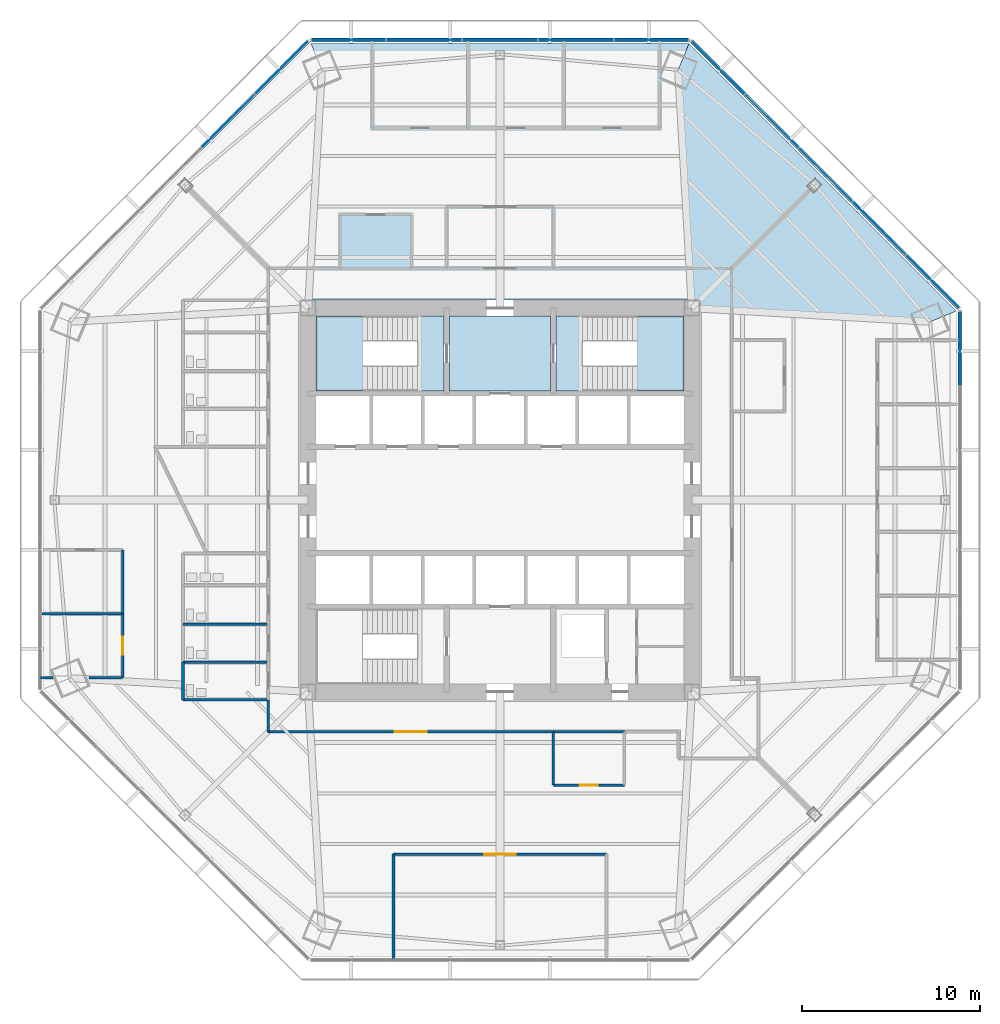
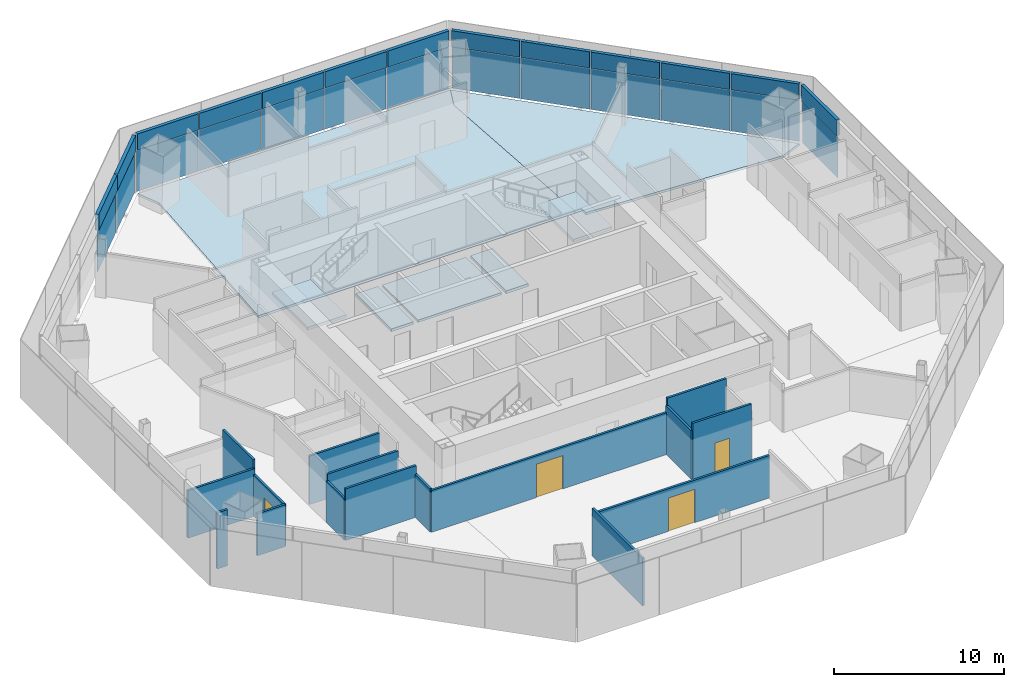
# One storey, part 8 of 15: 26 plates, 16 walls, 7 slabs, 4 doors, 4 openings, 6 elements without a shape of their own.
"""IFC4 building model written with IfcOpenShell, lengths in metres."""

from ifc_helpers import new_model, si_unit, direction, frame, frame_2d, origin, origin_2d, place, context, subcontext, project, spatial, polyline, rectangle, outline, extrude, source, transform, mapped, material, layer, layer_set, type_object, type_shapes, element, fill, aggregate, save


model = new_model("IFC4")

# Units and contexts
model_context = context("Model", 3, precision=1e-05, world=origin(), true_north=direction((0.0, 1.0)))
body_context = subcontext(model_context, "Body", "Model", "MODEL_VIEW")
ifc_project = project(units=[si_unit("LENGTHUNIT", "METRE"), si_unit("AREAUNIT", "SQUARE_METRE"), si_unit("VOLUMEUNIT", "CUBIC_METRE"), si_unit("PLANEANGLEUNIT", "RADIAN"), si_unit("MASSUNIT", "GRAM", prefix="KILO")], contexts=[model_context])

# Site, building, storey
site_placement = place(None, origin())
site = spatial("IfcSite", under=ifc_project, at=site_placement, CompositionType="ELEMENT")
building_placement = place(site_placement, origin())
building = spatial("IfcBuilding", under=site, at=building_placement, Name="Mashrafa Tower", CompositionType="ELEMENT")
storey_placement = place(building_placement, frame((0.0, 0.0, 75.0)))
storey = spatial("IfcBuildingStorey", under=building, at=storey_placement, Name="L16", CompositionType="ELEMENT", Elevation=75.0)

# Slabs
ifc_material_1 = material(Name="Concrete C35/45", Category="concrete")
ifc_layer_1 = layer(ifc_material_1, 0.1650390625)
ifc_layer_set_1 = layer_set([ifc_layer_1], Name="Floor slab 165")
slab_type_1 = type_object("IfcSlabType", Name="Floor slab 165", PredefinedType="FLOOR", material=ifc_layer_set_1)
slab_1_placement = place(storey_placement, frame((0.0, 0.0, -0.1650390625)))
element("IfcSlab", 1, at=slab_1_placement, inside=storey, type_object=slab_type_1, Name="Floor slab L16 north-east bay", PredefinedType="FLOOR", context=body_context, shape_type="SweptSolid", body=[
    extrude(outline(polyline([(25.693115234375, 10.642578125), (24.219482421875, 10.031982421875), (11.25, 10.774169921875), (11.25, 11.25), (10.774169921875, 11.25), (10.031982421875, 24.219482421875), (10.642578125, 25.693115234375), (25.693115234375, 10.642578125)])), origin(), (0.0, 0.0, 1.0), 0.1650390625),
])
slab_2_placement = place(storey_placement, frame((0.0, 0.0, -0.1650390625)))
element("IfcSlab", 2, at=slab_2_placement, inside=storey, type_object=slab_type_1, Name="Floor slab L16 north bay", PredefinedType="FLOOR", context=body_context, shape_type="SweptSolid", body=[
    extrude(outline(polyline([(-10.642333984375, 25.693115234375), (10.642333984375, 25.693115234375), (10.642578125, 25.693115234375), (10.031982421875, 24.219482421875), (10.774169921875, 11.25), (-10.774169921875, 11.25), (-10.031982421875, 24.219482421875), (-10.642578125, 25.693115234375), (-10.642333984375, 25.693115234375)])), origin(), (0.0, 0.0, 1.0), 0.1650390625),
])
slab_3_placement = place(storey_placement, frame((0.0, 0.0, -0.1650390625)))
element("IfcSlab", 3, at=slab_3_placement, inside=storey, type_object=slab_type_1, Name="Core floor fire-fighting lobby north L16", PredefinedType="FLOOR", context=body_context, shape_type="SweptSolid", body=[
    extrude(outline(polyline([(-2.85009765625, 10.35009765625), (2.85009765625, 10.35009765625), (2.85009765625, 6.14990234375), (-2.85009765625, 6.14990234375), (-2.85009765625, 10.35009765625)])), origin(), (0.0, 0.0, 1.0), 0.1650390625),
])

# Stair, slabs
ifc_material_2 = material(Name="Exit stair 1400")
stair_type = type_object("IfcStairType", Name="Exit stair 1400", PredefinedType="HALF_TURN_STAIR", material=ifc_material_2)
stair_1_placement = place(storey_placement, origin())
stair_1 = element("IfcStair", 4, at=stair_1_placement, inside=storey, type_object=stair_type, Name="Stair S1 L16", PredefinedType="HALF_TURN_STAIR")
ifc_material_3 = material(Name="Concrete C32/40", Category="concrete")
ifc_layer_2 = layer(ifc_material_3, 0.199951171875)
ifc_layer_set_2 = layer_set([ifc_layer_2], Name="Stair landing 200")
slab_type_2 = type_object("IfcSlabType", Name="Stair landing 200", PredefinedType="LANDING", material=ifc_layer_set_2)
slab_4_placement = place(storey_placement, frame((0.0, 0.0, -0.199951171875)))
slab_4 = element("IfcSlab", 5, at=slab_4_placement, type_object=slab_type_2, Name="S1 landing 1", PredefinedType="LANDING", context=body_context, shape_type="SweptSolid", body=[
    extrude(outline(polyline([(-4.659912109375, 6.14990234375), (-3.14990234375, 6.14990234375), (-3.14990234375, 10.35009765625), (-4.659912109375, 10.35009765625), (-4.659912109375, 6.14990234375)])), origin(), (0.0, 0.0, 1.0), 0.199951171875),
])
slab_5_placement = place(storey_placement, frame((0.0, 0.0, 1.89990234375)))
slab_5 = element("IfcSlab", 6, at=slab_5_placement, type_object=slab_type_2, Name="S1 landing 2", PredefinedType="LANDING", context=body_context, shape_type="SweptSolid", body=[
    extrude(outline(polyline([(-10.35009765625, 6.14990234375), (-7.719970703125, 6.14990234375), (-7.719970703125, 10.35009765625), (-10.35009765625, 10.35009765625), (-10.35009765625, 6.14990234375)])), origin(), (0.0, 0.0, 1.0), 0.2001953125),
])
aggregate(stair_1, [slab_4, slab_5])

stair_2_placement = place(storey_placement, origin())
stair_2 = element("IfcStair", 7, at=stair_2_placement, inside=storey, type_object=stair_type, Name="Stair S2 L16", PredefinedType="HALF_TURN_STAIR")
slab_6_placement = place(storey_placement, frame((0.0, 0.0, -0.199951171875)))
slab_6 = element("IfcSlab", 8, at=slab_6_placement, type_object=slab_type_2, Name="S2 landing 1", PredefinedType="LANDING", context=body_context, shape_type="SweptSolid", body=[
    extrude(outline(polyline([(3.14990234375, 6.14990234375), (4.659912109375, 6.14990234375), (4.659912109375, 10.35009765625), (3.14990234375, 10.35009765625), (3.14990234375, 6.14990234375)])), origin(), (0.0, 0.0, 1.0), 0.199951171875),
])
slab_7_placement = place(storey_placement, frame((0.0, 0.0, 1.89990234375)))
slab_7 = element("IfcSlab", 9, at=slab_7_placement, type_object=slab_type_2, Name="S2 landing 2", PredefinedType="LANDING", context=body_context, shape_type="SweptSolid", body=[
    extrude(outline(polyline([(7.719970703125, 6.14990234375), (10.35009765625, 6.14990234375), (10.35009765625, 10.35009765625), (7.719970703125, 10.35009765625), (7.719970703125, 6.14990234375)])), origin(), (0.0, 0.0, 1.0), 0.2001953125),
])
aggregate(stair_2, [slab_6, slab_7])

# Curtain wall, plate
ifc_material_4 = material(Name="Unitised aluminium curtain wall", Category="aluminium")
curtain_wall_type = type_object("IfcCurtainWallType", Name="Office curtain wall, zone 1 CW-A 200 deep", PredefinedType="NOTDEFINED", material=ifc_material_4)
curtain_wall_1_placement = place(storey_placement, origin())
curtain_wall_1 = element("IfcCurtainWall", 10, at=curtain_wall_1_placement, inside=storey, type_object=curtain_wall_type, Name="Office curtain wall, zone 1 L16 east", PredefinedType="NOTDEFINED")
ifc_material_5 = material(Name="Insulated double glazing, low-e, neutral", Category="glass")
ifc_layer_3 = layer(ifc_material_5, 0.028076171875)
ifc_layer_set_3 = layer_set([ifc_layer_3], Name="Vision panel CW-A 28")
plate_type_1 = type_object("IfcPlateType", Name="Vision panel CW-A 28", PredefinedType="CURTAIN_PANEL", material=ifc_layer_set_3)
shared_shape_1 = source(origin(), body_context, "Body", "SweptSolid", [
    extrude(rectangle(XDim=4.172119140625, YDim=0.028076171875, at=origin_2d()), origin(), (0.0, 0.0, 1.0), 2.9599609375),
])
plate_1_placement = place(storey_placement, frame((25.89306640625, 8.522705078125, 0.0), z_axis=(0.0, 0.0, 1.0), x_axis=(0.0, 1.0, 0.0)))
plate_1 = element("IfcPlate", 11, at=plate_1_placement, type_object=plate_type_1, Name="CW-A vision panel 5", PredefinedType="CURTAIN_PANEL", context=body_context, shape_type="MappedRepresentation", body=[
    mapped(shared_shape_1, transform((0.0, 0.0, 0.0))),
])

# Curtain wall, plates
curtain_wall_2_placement = place(storey_placement, origin())
curtain_wall_2 = element("IfcCurtainWall", 12, at=curtain_wall_2_placement, inside=storey, type_object=curtain_wall_type, Name="Office curtain wall, zone 1 L16 north-east", PredefinedType="NOTDEFINED")
plate_2_placement = place(storey_placement, frame((24.335693359375, 12.28271484375, 0.0), z_axis=(0.0, 0.0, 1.0), x_axis=(-0.707106781187, 0.707106781187, 0.0)))
plate_2 = element("IfcPlate", 13, at=plate_2_placement, type_object=plate_type_1, Name="CW-A vision panel 1", PredefinedType="CURTAIN_PANEL", context=body_context, shape_type="MappedRepresentation", body=[
    mapped(shared_shape_1, transform((0.0, 0.0, 0.0))),
])
plate_3_placement = place(storey_placement, frame((12.28271484375, 24.335693359375, 0.0), z_axis=(0.0, 0.0, 1.0), x_axis=(-0.707106781187, 0.707106781187, 0.0)))
plate_3 = element("IfcPlate", 14, at=plate_3_placement, type_object=plate_type_1, Name="CW-A vision panel 5", PredefinedType="CURTAIN_PANEL", context=body_context, shape_type="MappedRepresentation", body=[
    mapped(shared_shape_1, transform((0.0, 0.0, 0.0))),
])

curtain_wall_3_placement = place(storey_placement, origin())
curtain_wall_3 = element("IfcCurtainWall", 15, at=curtain_wall_3_placement, inside=storey, type_object=curtain_wall_type, Name="Office curtain wall, zone 1 L16 north", PredefinedType="NOTDEFINED")
plate_4_placement = place(storey_placement, frame((8.522705078125, 25.89306640625, 0.0), z_axis=(0.0, 0.0, 1.0), x_axis=(-1.0, 0.0, 0.0)))
plate_4 = element("IfcPlate", 16, at=plate_4_placement, type_object=plate_type_1, Name="CW-A vision panel 1", PredefinedType="CURTAIN_PANEL", context=body_context, shape_type="MappedRepresentation", body=[
    mapped(shared_shape_1, transform((0.0, 0.0, 0.0))),
])
plate_5_placement = place(storey_placement, frame((-8.522705078125, 25.89306640625, 0.0), z_axis=(0.0, 0.0, 1.0), x_axis=(-1.0, 0.0, 0.0)))
plate_5 = element("IfcPlate", 17, at=plate_5_placement, type_object=plate_type_1, Name="CW-A vision panel 5", PredefinedType="CURTAIN_PANEL", context=body_context, shape_type="MappedRepresentation", body=[
    mapped(shared_shape_1, transform((0.0, 0.0, 0.0))),
])

# Curtain wall, plate
curtain_wall_4_placement = place(storey_placement, origin())
curtain_wall_4 = element("IfcCurtainWall", 18, at=curtain_wall_4_placement, inside=storey, type_object=curtain_wall_type, Name="Office curtain wall, zone 1 L16 north-west", PredefinedType="NOTDEFINED")
plate_6_placement = place(storey_placement, frame((-12.28271484375, 24.335693359375, 0.0), z_axis=(0.0, 0.0, 1.0), x_axis=(-0.707106781187, -0.707106781187, 0.0)))
plate_6 = element("IfcPlate", 19, at=plate_6_placement, type_object=plate_type_1, Name="CW-A vision panel 1", PredefinedType="CURTAIN_PANEL", context=body_context, shape_type="MappedRepresentation", body=[
    mapped(shared_shape_1, transform((0.0, 0.0, 0.0))),
])

# Plate
ifc_material_6 = material(Name="Insulated aluminium spandrel panel", Category="aluminium")
ifc_layer_4 = layer(ifc_material_6, 0.219970703125)
ifc_layer_set_4 = layer_set([ifc_layer_4], Name="Spandrel panel CW-A 220")
plate_type_2 = type_object("IfcPlateType", Name="Spandrel panel CW-A 220", PredefinedType="CURTAIN_PANEL", material=ifc_layer_set_4)
shared_shape_2 = source(origin(), body_context, "Body", "SweptSolid", [
    extrude(rectangle(XDim=4.172119140625, YDim=0.219970703125, at=origin_2d()), origin(), (0.0, 0.0, 1.0), 1.159912109375),
])
plate_7_placement = place(storey_placement, frame((25.89306640625, 8.522705078125, 3.0400390625), z_axis=(0.0, 0.0, 1.0), x_axis=(0.0, 1.0, 0.0)))
plate_7 = element("IfcPlate", 20, at=plate_7_placement, type_object=plate_type_2, Name="CW-A spandrel panel 5", PredefinedType="CURTAIN_PANEL", context=body_context, shape_type="MappedRepresentation", body=[
    mapped(shared_shape_2, transform((0.0, 0.0, 0.0))),
])

aggregate(curtain_wall_1, [plate_1, plate_7])

plate_8_placement = place(storey_placement, frame((24.335693359375, 12.28271484375, 3.0400390625), z_axis=(0.0, 0.0, 1.0), x_axis=(-0.707106781187, 0.707106781187, 0.0)))
plate_8 = element("IfcPlate", 21, at=plate_8_placement, type_object=plate_type_2, Name="CW-A spandrel panel 1", PredefinedType="CURTAIN_PANEL", context=body_context, shape_type="MappedRepresentation", body=[
    mapped(shared_shape_2, transform((0.0, 0.0, 0.0))),
])

plate_9_placement = place(storey_placement, frame((12.28271484375, 24.335693359375, 3.0400390625), z_axis=(0.0, 0.0, 1.0), x_axis=(-0.707106781187, 0.707106781187, 0.0)))
plate_9 = element("IfcPlate", 22, at=plate_9_placement, type_object=plate_type_2, Name="CW-A spandrel panel 5", PredefinedType="CURTAIN_PANEL", context=body_context, shape_type="MappedRepresentation", body=[
    mapped(shared_shape_2, transform((0.0, 0.0, 0.0))),
])

plate_10_placement = place(storey_placement, frame((8.522705078125, 25.89306640625, 3.0400390625), z_axis=(0.0, 0.0, 1.0), x_axis=(-1.0, 0.0, 0.0)))
plate_10 = element("IfcPlate", 23, at=plate_10_placement, type_object=plate_type_2, Name="CW-A spandrel panel 1", PredefinedType="CURTAIN_PANEL", context=body_context, shape_type="MappedRepresentation", body=[
    mapped(shared_shape_2, transform((0.0, 0.0, 0.0))),
])

plate_11_placement = place(storey_placement, frame((-8.522705078125, 25.89306640625, 3.0400390625), z_axis=(0.0, 0.0, 1.0), x_axis=(-1.0, 0.0, 0.0)))
plate_11 = element("IfcPlate", 24, at=plate_11_placement, type_object=plate_type_2, Name="CW-A spandrel panel 5", PredefinedType="CURTAIN_PANEL", context=body_context, shape_type="MappedRepresentation", body=[
    mapped(shared_shape_2, transform((0.0, 0.0, 0.0))),
])

plate_12_placement = place(storey_placement, frame((-12.28271484375, 24.335693359375, 3.0400390625), z_axis=(0.0, 0.0, 1.0), x_axis=(-0.707106781187, -0.707106781187, 0.0)))
plate_12 = element("IfcPlate", 25, at=plate_12_placement, type_object=plate_type_2, Name="CW-A spandrel panel 1", PredefinedType="CURTAIN_PANEL", context=body_context, shape_type="MappedRepresentation", body=[
    mapped(shared_shape_2, transform((0.0, 0.0, 0.0))),
])

shared_shape_3 = source(origin(), body_context, "Body", "SweptSolid", [
    extrude(rectangle(XDim=4.20458984375, YDim=0.028076171875, at=origin_2d()), origin(), (0.0, 0.0, 1.0), 2.9599609375),
])
type_shapes(plate_type_1, [shared_shape_1, shared_shape_3])
plate_13_placement = place(storey_placement, frame((21.328125, 15.2900390625, 0.0), z_axis=(0.0, 0.0, 1.0), x_axis=(-0.707106781187, 0.707106781187, 0.0)))
plate_13 = element("IfcPlate", 26, at=plate_13_placement, type_object=plate_type_1, Name="CW-A vision panel 2", PredefinedType="CURTAIN_PANEL", context=body_context, shape_type="MappedRepresentation", body=[
    mapped(shared_shape_3, transform((0.0, 0.0, 0.0))),
])

plate_14_placement = place(storey_placement, frame((18.30908203125, 18.30908203125, 0.0), z_axis=(0.0, 0.0, 1.0), x_axis=(-0.707106781187, 0.707106781187, 0.0)))
plate_14 = element("IfcPlate", 27, at=plate_14_placement, type_object=plate_type_1, Name="CW-A vision panel 3", PredefinedType="CURTAIN_PANEL", context=body_context, shape_type="MappedRepresentation", body=[
    mapped(shared_shape_3, transform((0.0, 0.0, 0.0))),
])

plate_15_placement = place(storey_placement, frame((15.2900390625, 21.328125, 0.0), z_axis=(0.0, 0.0, 1.0), x_axis=(-0.707106781187, 0.707106781187, 0.0)))
plate_15 = element("IfcPlate", 28, at=plate_15_placement, type_object=plate_type_1, Name="CW-A vision panel 4", PredefinedType="CURTAIN_PANEL", context=body_context, shape_type="MappedRepresentation", body=[
    mapped(shared_shape_3, transform((0.0, 0.0, 0.0))),
])

plate_16_placement = place(storey_placement, frame((4.26953125, 25.89306640625, 0.0), z_axis=(0.0, 0.0, 1.0), x_axis=(-1.0, 0.0, 0.0)))
plate_16 = element("IfcPlate", 29, at=plate_16_placement, type_object=plate_type_1, Name="CW-A vision panel 2", PredefinedType="CURTAIN_PANEL", context=body_context, shape_type="MappedRepresentation", body=[
    mapped(shared_shape_3, transform((0.0, 0.0, 0.0))),
])

plate_17_placement = place(storey_placement, frame((0.0, 25.89306640625, 0.0), z_axis=(0.0, 0.0, 1.0), x_axis=(-1.0, 0.0, 0.0)))
plate_17 = element("IfcPlate", 30, at=plate_17_placement, type_object=plate_type_1, Name="CW-A vision panel 3", PredefinedType="CURTAIN_PANEL", context=body_context, shape_type="MappedRepresentation", body=[
    mapped(shared_shape_3, transform((0.0, 0.0, 0.0))),
])

plate_18_placement = place(storey_placement, frame((-4.26953125, 25.89306640625, 0.0), z_axis=(0.0, 0.0, 1.0), x_axis=(-1.0, 0.0, 0.0)))
plate_18 = element("IfcPlate", 31, at=plate_18_placement, type_object=plate_type_1, Name="CW-A vision panel 4", PredefinedType="CURTAIN_PANEL", context=body_context, shape_type="MappedRepresentation", body=[
    mapped(shared_shape_3, transform((0.0, 0.0, 0.0))),
])

plate_19_placement = place(storey_placement, frame((-15.2900390625, 21.328125, 0.0), z_axis=(0.0, 0.0, 1.0), x_axis=(-0.707106781187, -0.707106781187, 0.0)))
plate_19 = element("IfcPlate", 32, at=plate_19_placement, type_object=plate_type_1, Name="CW-A vision panel 2", PredefinedType="CURTAIN_PANEL", context=body_context, shape_type="MappedRepresentation", body=[
    mapped(shared_shape_3, transform((0.0, 0.0, 0.0))),
])

shared_shape_4 = source(origin(), body_context, "Body", "SweptSolid", [
    extrude(rectangle(XDim=4.20458984375, YDim=0.219970703125, at=origin_2d()), origin(), (0.0, 0.0, 1.0), 1.159912109375),
])
type_shapes(plate_type_2, [shared_shape_2, shared_shape_4])
plate_20_placement = place(storey_placement, frame((21.328125, 15.2900390625, 3.0400390625), z_axis=(0.0, 0.0, 1.0), x_axis=(-0.707106781187, 0.707106781187, 0.0)))
plate_20 = element("IfcPlate", 33, at=plate_20_placement, type_object=plate_type_2, Name="CW-A spandrel panel 2", PredefinedType="CURTAIN_PANEL", context=body_context, shape_type="MappedRepresentation", body=[
    mapped(shared_shape_4, transform((0.0, 0.0, 0.0))),
])

plate_21_placement = place(storey_placement, frame((18.30908203125, 18.30908203125, 3.0400390625), z_axis=(0.0, 0.0, 1.0), x_axis=(-0.707106781187, 0.707106781187, 0.0)))
plate_21 = element("IfcPlate", 34, at=plate_21_placement, type_object=plate_type_2, Name="CW-A spandrel panel 3", PredefinedType="CURTAIN_PANEL", context=body_context, shape_type="MappedRepresentation", body=[
    mapped(shared_shape_4, transform((0.0, 0.0, 0.0))),
])

plate_22_placement = place(storey_placement, frame((15.2900390625, 21.328125, 3.0400390625), z_axis=(0.0, 0.0, 1.0), x_axis=(-0.707106781187, 0.707106781187, 0.0)))
plate_22 = element("IfcPlate", 35, at=plate_22_placement, type_object=plate_type_2, Name="CW-A spandrel panel 4", PredefinedType="CURTAIN_PANEL", context=body_context, shape_type="MappedRepresentation", body=[
    mapped(shared_shape_4, transform((0.0, 0.0, 0.0))),
])

aggregate(curtain_wall_2, [plate_2, plate_8, plate_13, plate_20, plate_14, plate_21, plate_15, plate_22, plate_3, plate_9])

plate_23_placement = place(storey_placement, frame((4.26953125, 25.89306640625, 3.0400390625), z_axis=(0.0, 0.0, 1.0), x_axis=(-1.0, 0.0, 0.0)))
plate_23 = element("IfcPlate", 36, at=plate_23_placement, type_object=plate_type_2, Name="CW-A spandrel panel 2", PredefinedType="CURTAIN_PANEL", context=body_context, shape_type="MappedRepresentation", body=[
    mapped(shared_shape_4, transform((0.0, 0.0, 0.0))),
])

plate_24_placement = place(storey_placement, frame((0.0, 25.89306640625, 3.0400390625), z_axis=(0.0, 0.0, 1.0), x_axis=(-1.0, 0.0, 0.0)))
plate_24 = element("IfcPlate", 37, at=plate_24_placement, type_object=plate_type_2, Name="CW-A spandrel panel 3", PredefinedType="CURTAIN_PANEL", context=body_context, shape_type="MappedRepresentation", body=[
    mapped(shared_shape_4, transform((0.0, 0.0, 0.0))),
])

plate_25_placement = place(storey_placement, frame((-4.26953125, 25.89306640625, 3.0400390625), z_axis=(0.0, 0.0, 1.0), x_axis=(-1.0, 0.0, 0.0)))
plate_25 = element("IfcPlate", 38, at=plate_25_placement, type_object=plate_type_2, Name="CW-A spandrel panel 4", PredefinedType="CURTAIN_PANEL", context=body_context, shape_type="MappedRepresentation", body=[
    mapped(shared_shape_4, transform((0.0, 0.0, 0.0))),
])

aggregate(curtain_wall_3, [plate_4, plate_10, plate_16, plate_23, plate_17, plate_24, plate_18, plate_25, plate_5, plate_11])

plate_26_placement = place(storey_placement, frame((-15.2900390625, 21.328125, 3.0400390625), z_axis=(0.0, 0.0, 1.0), x_axis=(-0.707106781187, -0.707106781187, 0.0)))
plate_26 = element("IfcPlate", 39, at=plate_26_placement, type_object=plate_type_2, Name="CW-A spandrel panel 2", PredefinedType="CURTAIN_PANEL", context=body_context, shape_type="MappedRepresentation", body=[
    mapped(shared_shape_4, transform((0.0, 0.0, 0.0))),
])

aggregate(curtain_wall_4, [plate_6, plate_12, plate_19, plate_26])

# Walls
ifc_material_7 = material(Name="Gypsum board on steel studs", Category="steel")
ifc_layer_5 = layer(ifc_material_7, 0.14990234375)
ifc_layer_set_5 = layer_set([ifc_layer_5], Name="Corridor partition 150 1 hr")
wall_type_1 = type_object("IfcWallType", Name="Corridor partition 150 1 hr", PredefinedType="PARTITIONING", material=ifc_layer_set_5)
wall_1_placement = place(storey_placement, frame((2.9990234375, -13.050048828125, 0.0), z_axis=(0.0, 0.0, 1.0), x_axis=(1.0, 0.0, 0.0)))
element("IfcWall", 40, at=wall_1_placement, inside=storey, type_object=wall_type_1, Name="Corridor wall L16-013", PredefinedType="PARTITIONING", context=body_context, shape_type="SweptSolid", body=[
    extrude(rectangle(XDim=4.001953125, YDim=0.14990234375, at=frame_2d((2.0009765625, 0.0))), origin(), (0.0, 0.0, 1.0), 4.034912109375),
])
wall_2_placement = place(storey_placement, frame((-13.050048828125, -11.2490234375, 0.0), z_axis=(0.0, 0.0, 1.0), x_axis=(0.0, -1.0, 0.0)))
element("IfcWall", 41, at=wall_2_placement, inside=storey, type_object=wall_type_1, Name="Corridor wall L16-021", PredefinedType="PARTITIONING", context=body_context, shape_type="SweptSolid", body=[
    extrude(rectangle(XDim=1.801025390625, YDim=0.14990234375, at=frame_2d((0.900390625, 0.0))), origin(), (0.0, 0.0, 1.0), 3.113037109375),
])

# Wall, opening, door
wall_3_placement = place(storey_placement, frame((-13.050048828125, -13.050048828125, 0.0), z_axis=(0.0, 0.0, 1.0), x_axis=(1.0, 0.0, 0.0)))
wall_3 = element("IfcWall", 42, at=wall_3_placement, inside=storey, type_object=wall_type_1, Name="Corridor wall L16-022", PredefinedType="PARTITIONING", context=body_context, shape_type="SweptSolid", body=[
    extrude(rectangle(XDim=16.051025390625, YDim=0.14990234375, at=frame_2d((8.025390625, 0.0))), origin(), (0.0, 0.0, 1.0), 3.01416015625),
])
opening_1_placement = place(wall_3_placement, frame((7.12548828125, 0.0, 0.0)))
opening_1 = element("IfcOpeningElement", 43, at=opening_1_placement, cuts=wall_3, Name="Opening 16.027", PredefinedType="OPENING", context=body_context, shape_type="SweptSolid", body=[
    extrude(rectangle(XDim=1.800048828125, YDim=2.39990234375, at=frame_2d((0.89990234375, 1.199951171875))), frame((0.0, 0.0849609375, 0.0), z_axis=(0.0, -1.0, 0.0), x_axis=(1.0, 0.0, 0.0)), (0.0, 0.0, 1.0), 0.169921875),
])
ifc_material_8 = material(Name="Timber door", Category="wood")
door_type_1 = type_object("IfcDoorType", Name="Door pair 1800 x 2400", OperationType="DOUBLE_DOOR_SINGLE_SWING", PredefinedType="DOOR", material=ifc_material_8)
door_1_placement = place(opening_1_placement, origin())
door_1 = element("IfcDoor", 44, at=door_1_placement, inside=storey, type_object=door_type_1, Name="Office Tenancy 16-S door", OperationType="DOUBLE_DOOR_SINGLE_SWING", OverallHeight=2.39990234375, OverallWidth=1.800048828125, PredefinedType="DOOR", context=body_context, shape_type="SweptSolid", body=[
    extrude(rectangle(XDim=1.800048828125, YDim=2.39990234375, at=frame_2d((0.89990234375, 1.199951171875))), frame((0.0, 0.02490234375, 0.0), z_axis=(0.0, -1.0, 0.0), x_axis=(1.0, 0.0, 0.0)), (0.0, 0.0, 1.0), 0.050048828125),
])
fill(opening_1, door_1)

# Walls
ifc_material_9 = material(Name="Gypsum board on steel studs", Category="steel")
ifc_layer_6 = layer(ifc_material_9, 0.14990234375)
ifc_layer_set_6 = layer_set([ifc_layer_6], Name="Partition 150")
wall_type_2 = type_object("IfcWallType", Name="Partition 150", PredefinedType="PARTITIONING", material=ifc_layer_set_6)
wall_4_placement = place(storey_placement, frame((-13.050048828125, -9.125, 0.0), z_axis=(0.0, 0.0, 1.0), x_axis=(-1.0, 0.0, 0.0)))
element("IfcWall", 45, at=wall_4_placement, inside=storey, type_object=wall_type_2, Name="Partition wall L16-036", PredefinedType="PARTITIONING", context=body_context, shape_type="SweptSolid", body=[
    extrude(rectangle(XDim=4.800048828125, YDim=0.14990234375, at=frame_2d((2.39990234375, 0.0))), origin(), (0.0, 0.0, 1.0), 3.49169921875),
])
wall_5_placement = place(storey_placement, frame((-17.85009765625, -9.125, 0.0), z_axis=(0.0, 0.0, 1.0), x_axis=(0.0, -1.0, 0.0)))
element("IfcWall", 46, at=wall_5_placement, inside=storey, type_object=wall_type_2, Name="Partition wall L16-037", PredefinedType="PARTITIONING", context=body_context, shape_type="SweptSolid", body=[
    extrude(rectangle(XDim=2.125, YDim=0.14990234375, at=frame_2d((1.0625, 0.0))), origin(), (0.0, 0.0, 1.0), 3.01416015625),
])
wall_6_placement = place(storey_placement, frame((-17.85009765625, -11.25, 0.0), z_axis=(0.0, 0.0, 1.0), x_axis=(1.0, 0.0, 0.0)))
element("IfcWall", 47, at=wall_6_placement, inside=storey, type_object=wall_type_2, Name="Partition wall L16-038", PredefinedType="PARTITIONING", context=body_context, shape_type="SweptSolid", body=[
    extrude(rectangle(XDim=4.800048828125, YDim=0.14990234375, at=frame_2d((2.39990234375, 0.0))), origin(), (0.0, 0.0, 1.0), 3.715087890625),
])
wall_7_placement = place(storey_placement, frame((-13.050048828125, -7.0, 0.0), z_axis=(0.0, 0.0, 1.0), x_axis=(-1.0, 0.0, 0.0)))
element("IfcWall", 48, at=wall_7_placement, inside=storey, type_object=wall_type_2, Name="Partition wall L16-039", PredefinedType="PARTITIONING", context=body_context, shape_type="SweptSolid", body=[
    extrude(rectangle(XDim=4.800048828125, YDim=0.14990234375, at=frame_2d((2.39990234375, 0.0))), origin(), (0.0, 0.0, 1.0), 3.49169921875),
])

# Wall, opening, door
wall_8_placement = place(storey_placement, frame((6.0, -19.943115234375, 0.0), z_axis=(0.0, 0.0, 1.0), x_axis=(-1.0, 0.0, 0.0)))
wall_8 = element("IfcWall", 49, at=wall_8_placement, inside=storey, type_object=wall_type_2, Name="Partition wall L16-058", PredefinedType="PARTITIONING", context=body_context, shape_type="SweptSolid", body=[
    extrude(rectangle(XDim=12.0, YDim=0.14990234375, at=frame_2d((6.0, 0.0))), origin(), (0.0, 0.0, 1.0), 3.06494140625),
])
opening_2_placement = place(wall_8_placement, frame((5.10009765625, 0.0, 0.0)))
opening_2 = element("IfcOpeningElement", 50, at=opening_2_placement, cuts=wall_8, Name="Opening 16.013", PredefinedType="OPENING", context=body_context, shape_type="SweptSolid", body=[
    extrude(rectangle(XDim=1.800048828125, YDim=2.39990234375, at=frame_2d((0.89990234375, 1.199951171875))), frame((0.0, 0.0849609375, 0.0), z_axis=(0.0, -1.0, 0.0), x_axis=(1.0, 0.0, 0.0)), (0.0, 0.0, 1.0), 0.169921875),
])
door_2_placement = place(opening_2_placement, origin())
door_2 = element("IfcDoor", 51, at=door_2_placement, inside=storey, type_object=door_type_1, Name="Meeting Room 16-S door", OperationType="DOUBLE_DOOR_SINGLE_SWING", OverallHeight=2.39990234375, OverallWidth=1.800048828125, PredefinedType="DOOR", context=body_context, shape_type="SweptSolid", body=[
    extrude(rectangle(XDim=1.800048828125, YDim=2.39990234375, at=frame_2d((0.89990234375, 1.199951171875))), frame((0.0, 0.02490234375, 0.0), z_axis=(0.0, -1.0, 0.0), x_axis=(1.0, 0.0, 0.0)), (0.0, 0.0, 1.0), 0.050048828125),
])
fill(opening_2, door_2)

# Walls
wall_9_placement = place(storey_placement, frame((-6.0, -19.943115234375, 0.0), z_axis=(0.0, 0.0, 1.0), x_axis=(0.0, -1.0, 0.0)))
element("IfcWall", 52, at=wall_9_placement, inside=storey, type_object=wall_type_2, Name="Partition wall L16-059", PredefinedType="PARTITIONING", context=body_context, shape_type="SweptSolid", body=[
    extrude(rectangle(XDim=5.931884765625, YDim=0.14990234375, at=frame_2d((2.9658203125, 0.0))), origin(), (0.0, 0.0, 1.0), 3.423095703125),
])
wall_10_placement = place(storey_placement, frame((3.0, -13.050048828125, 0.0), z_axis=(0.0, 0.0, 1.0), x_axis=(0.0, -1.0, 0.0)))
element("IfcWall", 53, at=wall_10_placement, inside=storey, type_object=wall_type_2, Name="Partition wall L16-060", PredefinedType="PARTITIONING", context=body_context, shape_type="SweptSolid", body=[
    extrude(rectangle(XDim=3.0, YDim=0.14990234375, at=frame_2d((1.5, 0.0))), origin(), (0.0, 0.0, 1.0), 3.49169921875),
])

# Wall, opening, door
wall_11_placement = place(storey_placement, frame((3.0, -16.050048828125, 0.0), z_axis=(0.0, 0.0, 1.0), x_axis=(1.0, 0.0, 0.0)))
wall_11 = element("IfcWall", 54, at=wall_11_placement, inside=storey, type_object=wall_type_2, Name="Partition wall L16-061", PredefinedType="PARTITIONING", context=body_context, shape_type="SweptSolid", body=[
    extrude(rectangle(XDim=4.0, YDim=0.14990234375, at=frame_2d((2.0, 0.0))), origin(), (0.0, 0.0, 1.0), 4.034912109375),
])
opening_3_placement = place(wall_11_placement, frame((1.5, 0.0, 0.0)))
opening_3 = element("IfcOpeningElement", 55, at=opening_3_placement, cuts=wall_11, Name="Opening 16.014", PredefinedType="OPENING", context=body_context, shape_type="SweptSolid", body=[
    extrude(rectangle(XDim=1.0, YDim=2.10009765625, at=frame_2d((0.5, 1.050048828125))), frame((0.0, 0.0849609375, 0.0), z_axis=(0.0, -1.0, 0.0), x_axis=(1.0, 0.0, 0.0)), (0.0, 0.0, 1.0), 0.169921875),
])
ifc_material_10 = material(Name="Timber door", Category="wood")
door_type_2 = type_object("IfcDoorType", Name="Door 1000 x 2100", OperationType="USERDEFINED", PredefinedType="DOOR", material=ifc_material_10)
door_3_placement = place(opening_3_placement, origin())
door_3 = element("IfcDoor", 56, at=door_3_placement, inside=storey, type_object=door_type_2, Name="Pantry 16-S door", OperationType="SINGLE_SWING_LEFT", OverallHeight=2.10009765625, OverallWidth=1.0, PredefinedType="DOOR", context=body_context, shape_type="SweptSolid", body=[
    extrude(rectangle(XDim=1.0, YDim=2.10009765625, at=frame_2d((0.5, 1.050048828125))), frame((0.0, 0.02490234375, 0.0), z_axis=(0.0, -1.0, 0.0), x_axis=(1.0, 0.0, 0.0)), (0.0, 0.0, 1.0), 0.050048828125),
])
fill(opening_3, door_3)

# Walls
wall_12_placement = place(storey_placement, frame((-25.7880859375, -6.406005859375, 0.0), z_axis=(0.0, 0.0, 1.0), x_axis=(1.0, 0.0, 0.0)))
element("IfcWall", 57, at=wall_12_placement, inside=storey, type_object=wall_type_2, Name="Partition wall L16-084", PredefinedType="PARTITIONING", context=body_context, shape_type="SweptSolid", body=[
    extrude(rectangle(XDim=4.544921875, YDim=0.14990234375, at=frame_2d((2.2724609375, 0.0))), origin(), (0.0, 0.0, 1.0), 3.423095703125),
])
wall_13_placement = place(storey_placement, frame((-21.2431640625, -6.406005859375, 0.0), z_axis=(0.0, 0.0, 1.0), x_axis=(0.0, 1.0, 0.0)))
element("IfcWall", 58, at=wall_13_placement, inside=storey, type_object=wall_type_2, Name="Partition wall L16-085", PredefinedType="PARTITIONING", context=body_context, shape_type="SweptSolid", body=[
    extrude(rectangle(XDim=3.60009765625, YDim=0.14990234375, at=frame_2d((1.800048828125, 0.0))), origin(), (0.0, 0.0, 1.0), 4.034912109375),
])
wall_14_placement = place(storey_placement, frame((-25.875, -10.006103515625, 0.0), z_axis=(0.0, 0.0, 1.0), x_axis=(1.0, 0.0, 0.0)))
element("IfcWall", 59, at=wall_14_placement, inside=storey, type_object=wall_type_2, Name="Partition wall L16-087", PredefinedType="PARTITIONING", context=body_context, shape_type="SweptSolid", body=[
    extrude(rectangle(XDim=0.708984375, YDim=0.14990234375, at=frame_2d((0.3544921875, 0.0))), origin(), (0.0, 0.0, 1.0), 4.034912109375),
])
wall_15_placement = place(storey_placement, frame((-23.14453125, -10.006103515625, 0.0), z_axis=(0.0, 0.0, 1.0), x_axis=(1.0, 0.0, 0.0)))
element("IfcWall", 60, at=wall_15_placement, inside=storey, type_object=wall_type_2, Name="Partition wall L16-088", PredefinedType="PARTITIONING", context=body_context, shape_type="SweptSolid", body=[
    extrude(rectangle(XDim=1.9013671875, YDim=0.14990234375, at=frame_2d((0.95068359375, 0.0))), origin(), (0.0, 0.0, 1.0), 3.01416015625),
])

# Wall, opening, door
wall_16_placement = place(storey_placement, frame((-21.2431640625, -10.006103515625, 0.0), z_axis=(0.0, 0.0, 1.0), x_axis=(0.0, 1.0, 0.0)))
wall_16 = element("IfcWall", 61, at=wall_16_placement, inside=storey, type_object=wall_type_2, Name="Partition wall L16-089", PredefinedType="PARTITIONING", context=body_context, shape_type="SweptSolid", body=[
    extrude(rectangle(XDim=3.60009765625, YDim=0.14990234375, at=frame_2d((1.800048828125, 0.0))), origin(), (0.0, 0.0, 1.0), 3.01416015625),
])
opening_4_placement = place(wall_16_placement, frame((1.300048828125, 0.0, 0.0)))
opening_4 = element("IfcOpeningElement", 62, at=opening_4_placement, cuts=wall_16, Name="Opening 16.024", PredefinedType="OPENING", context=body_context, shape_type="SweptSolid", body=[
    extrude(rectangle(XDim=1.0, YDim=2.10009765625, at=frame_2d((0.5, 1.050048828125))), frame((0.0, 0.0849609375, 0.0), z_axis=(0.0, -1.0, 0.0), x_axis=(1.0, 0.0, 0.0)), (0.0, 0.0, 1.0), 0.169921875),
])
door_4_placement = place(opening_4_placement, origin())
door_4 = element("IfcDoor", 63, at=door_4_placement, inside=storey, type_object=door_type_2, Name="Office 16-S-2 door", OperationType="SINGLE_SWING_LEFT", OverallHeight=2.10009765625, OverallWidth=1.0, PredefinedType="DOOR", context=body_context, shape_type="SweptSolid", body=[
    extrude(rectangle(XDim=1.0, YDim=2.10009765625, at=frame_2d((0.5, 1.050048828125))), frame((0.0, 0.02490234375, 0.0), z_axis=(0.0, -1.0, 0.0), x_axis=(1.0, 0.0, 0.0)), (0.0, 0.0, 1.0), 0.050048828125),
])
fill(opening_4, door_4)

save(model, "model.ifc")
